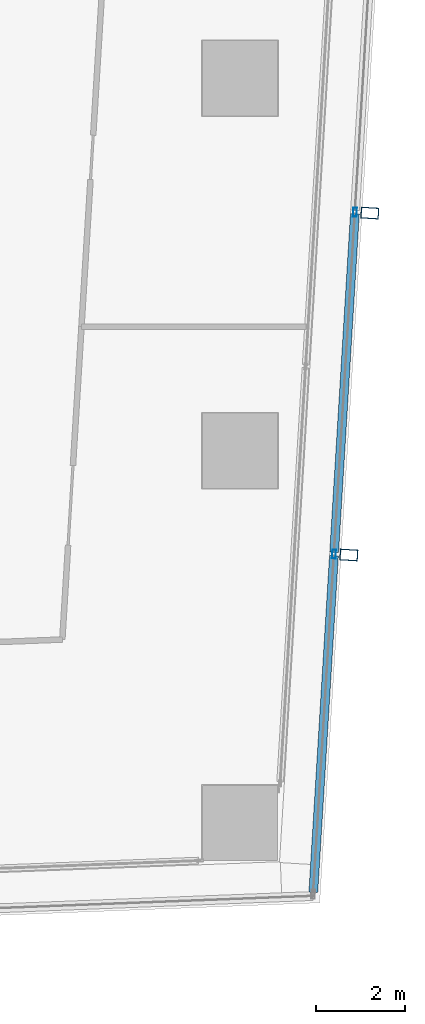
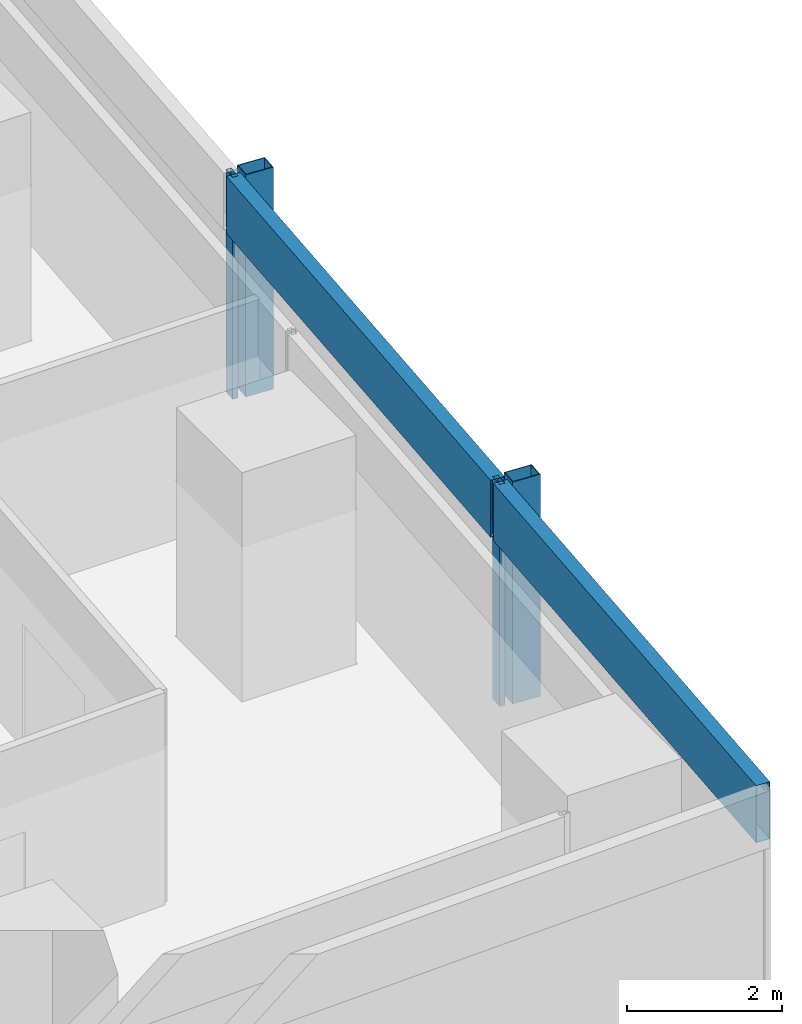
# One storey, part 23 of 40: 6 members, 1 element without a shape of its own.
"""IFC4 building model written with IfcOpenShell, lengths in metres."""

from ifc_helpers import new_model, si_unit, direction, frame, origin, origin_2d, place, context, subcontext, project, spatial, hollow_rectangle, extrude, material, material_profile, profile_set, type_object, element, aggregate, save


model = new_model("IFC4")

# Units and contexts
model_context = context("Model", 3, precision=1e-05, world=origin(), true_north=direction((0.0, 1.0)))
body_context = subcontext(model_context, "Body", "Model", "MODEL_VIEW")
ifc_project = project(units=[si_unit("LENGTHUNIT", "METRE"), si_unit("AREAUNIT", "SQUARE_METRE"), si_unit("VOLUMEUNIT", "CUBIC_METRE"), si_unit("PLANEANGLEUNIT", "RADIAN"), si_unit("MASSUNIT", "GRAM", prefix="KILO")], contexts=[model_context])

# Site, building, storey
site_placement = place(None, origin())
site = spatial("IfcSite", under=ifc_project, at=site_placement, CompositionType="ELEMENT")
building_placement = place(site_placement, origin())
building = spatial("IfcBuilding", under=site, at=building_placement, Name="Rekha Terrace Tower", CompositionType="ELEMENT")
storey_placement = place(building_placement, frame((0.0, 0.0, 132.800048828125)))
storey = spatial("IfcBuildingStorey", under=building, at=storey_placement, Name="L33", CompositionType="ELEMENT", Elevation=132.800048828125)

# Curtain wall, members
ifc_material_1 = material(Name="Aluminium framing", Category="aluminium")
curtain_wall_type = type_object("IfcCurtainWallType", Name="CW2 double skin outer glazing", PredefinedType="USERDEFINED", material=ifc_material_1)
curtain_wall_placement = place(storey_placement, origin())
curtain_wall = element("IfcCurtainWall", 1, at=curtain_wall_placement, inside=storey, type_object=curtain_wall_type, Name="CW2 double skin outer glazing", ObjectType="DOUBLE SKIN OUTER GLAZING", PredefinedType="USERDEFINED")
ifc_material_2 = material(Name="Steel S355 with fluorocarbon finish", Category="steel")
ifc_material_profile_1 = material_profile(ifc_material_2, hollow_rectangle(XDim=0.25, YDim=0.39990234375, WallThickness=0.012451171875, at=origin_2d()), Name="RHS400x250x12.5")
ifc_profile_set_1 = profile_set([ifc_material_profile_1], Name="Steel S355 with fluorocarbon finish")
member_type_1 = type_object("IfcMemberType", Name="BL1 facade blade RHS 400 x 250", PredefinedType="USERDEFINED", material=ifc_profile_set_1)
member_1_placement = place(storey_placement, frame((69.656005859375, 22.845703125, 0.0), z_axis=(0.0, 0.0, 1.0), x_axis=(0.061160031881, 0.998127973008, 0.0)))
member_1 = element("IfcMember", 2, at=member_1_placement, type_object=member_type_1, Name="Facade blade", ObjectType="FACADE BLADE", PredefinedType="USERDEFINED", context=body_context, shape_type="SweptSolid", body=[
    extrude(hollow_rectangle(XDim=0.25, YDim=0.39990234375, WallThickness=0.012451171875, at=origin_2d()), origin(), (0.0, 0.0, 1.0), 3.5),
])
member_2_placement = place(storey_placement, frame((70.128662109375, 30.557861328125, 0.0), z_axis=(0.0, 0.0, 1.0), x_axis=(0.061160031881, 0.998127973008, 0.0)))
member_2 = element("IfcMember", 3, at=member_2_placement, type_object=member_type_1, Name="Facade blade", ObjectType="FACADE BLADE", PredefinedType="USERDEFINED", context=body_context, shape_type="SweptSolid", body=[
    extrude(hollow_rectangle(XDim=0.25, YDim=0.39990234375, WallThickness=0.012451171875, at=origin_2d()), origin(), (0.0, 0.0, 1.0), 3.5),
])
ifc_material_3 = material(Name="Aluminium mullion section", Category="aluminium")
ifc_material_profile_2 = material_profile(ifc_material_3, hollow_rectangle(XDim=0.080078125, YDim=0.199951171875, WallThickness=0.00390625, at=origin_2d()), Name="AL RHS 80x200")
ifc_profile_set_2 = profile_set([ifc_material_profile_2], Name="Aluminium mullion section")
member_type_2 = type_object("IfcMemberType", Name="CW2 mullion RHS 80 x 200", PredefinedType="MULLION", material=ifc_profile_set_2)
member_3_placement = place(storey_placement, frame((69.32177734375, 22.8662109375, 0.0), z_axis=(0.0, 0.0, 1.0), x_axis=(-0.998127987024, 0.061159803131, 0.0)))
member_3 = element("IfcMember", 4, at=member_3_placement, type_object=member_type_2, Name="CW2 mullion 2", PredefinedType="MULLION", context=body_context, shape_type="SweptSolid", body=[
    extrude(hollow_rectangle(XDim=0.080078125, YDim=0.199951171875, WallThickness=0.00390625, at=origin_2d()), origin(), (0.0, 0.0, 1.0), 3.5),
])
member_4_placement = place(storey_placement, frame((69.794189453125, 30.578369140625, 0.0), z_axis=(0.0, 0.0, 1.0), x_axis=(-0.998127987024, 0.061159803131, 0.0)))
member_4 = element("IfcMember", 5, at=member_4_placement, type_object=member_type_2, Name="CW2 mullion 3", PredefinedType="MULLION", context=body_context, shape_type="SweptSolid", body=[
    extrude(hollow_rectangle(XDim=0.080078125, YDim=0.199951171875, WallThickness=0.00390625, at=origin_2d()), origin(), (0.0, 0.0, 1.0), 3.5),
])
ifc_material_4 = material(Name="Insulated aluminium spandrel box", Category="aluminium")
ifc_material_profile_3 = material_profile(ifc_material_4, hollow_rectangle(XDim=0.199951171875, YDim=0.89990234375, WallThickness=0.0029296875, at=origin_2d()), Name="AL SPANDREL BOX 200x900")
ifc_profile_set_3 = profile_set([ifc_material_profile_3], Name="Insulated aluminium spandrel box")
member_type_3 = type_object("IfcMemberType", Name="CW2 spandrel transom 200 x 900", PredefinedType="USERDEFINED", material=ifc_profile_set_3)
member_5_placement = place(storey_placement, frame((68.85400390625, 15.234130859375, 3.050048828125), z_axis=(0.061175320944, 0.998127036057, 0.0), x_axis=(-0.998127036057, 0.061175320944, 0.0)))
member_5 = element("IfcMember", 6, at=member_5_placement, type_object=member_type_3, Name="CW2 spandrel transom 1", ObjectType="TRANSOM", PredefinedType="USERDEFINED", context=body_context, shape_type="SweptSolid", body=[
    extrude(hollow_rectangle(XDim=0.199951171875, YDim=0.89990234375, WallThickness=0.0029296875, at=origin_2d()), origin(), (0.0, 0.0, 1.0), 7.6064453125),
])
member_6_placement = place(storey_placement, frame((69.32421875, 22.90625, 3.050048828125), z_axis=(0.061141871886, 0.998129085591, 0.0), x_axis=(-0.998129085591, 0.061141871886, 0.0)))
member_6 = element("IfcMember", 7, at=member_6_placement, type_object=member_type_3, Name="CW2 spandrel transom 2", ObjectType="TRANSOM", PredefinedType="USERDEFINED", context=body_context, shape_type="SweptSolid", body=[
    extrude(hollow_rectangle(XDim=0.199951171875, YDim=0.89990234375, WallThickness=0.0029296875, at=origin_2d()), origin(), (0.0, 0.0, 1.0), 7.646728515625),
])
aggregate(curtain_wall, [member_3, member_4, member_5, member_6, member_1, member_2])

save(model, "model.ifc")
